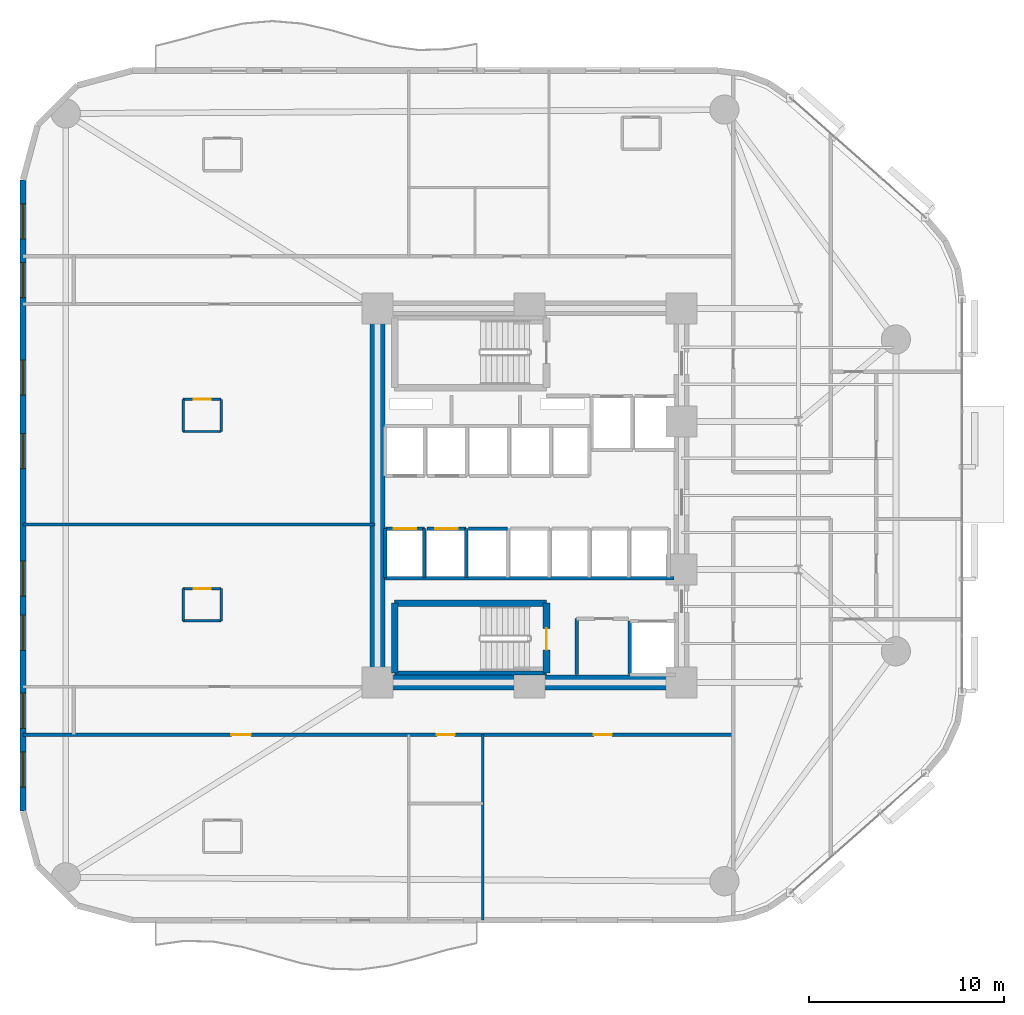
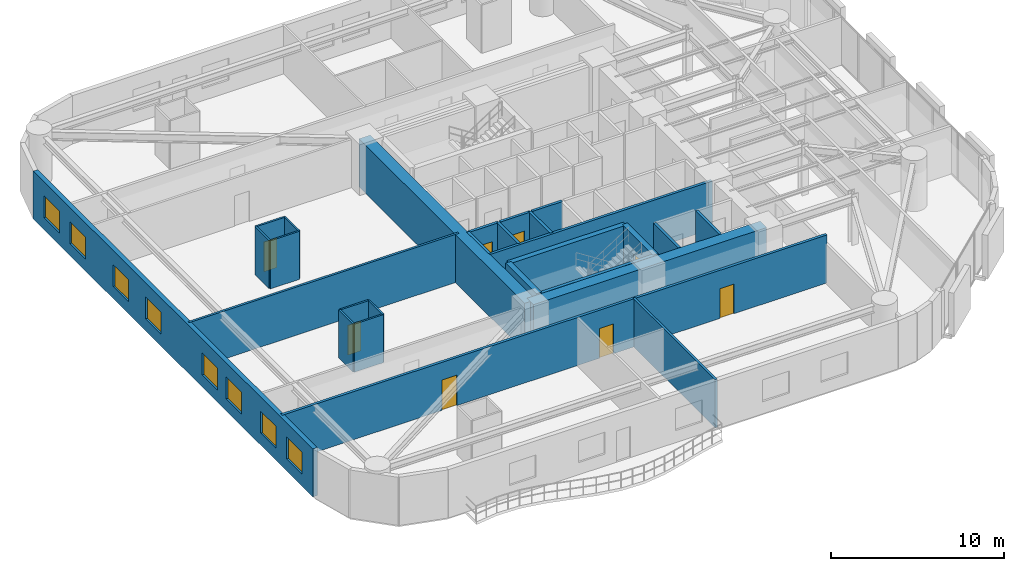
# One storey, part 10 of 16: 27 walls, 8 doors, 8 windows, 16 openings.
"""IFC4 building model written with IfcOpenShell, lengths in metres."""

from ifc_helpers import new_model, si_unit, direction, frame, frame_2d, origin, place, context, subcontext, project, spatial, rectangle, extrude, material, layer, layer_set, type_object, element, fill, save


model = new_model("IFC4")

# Units and contexts
model_context = context("Model", 3, precision=1e-05, world=origin(), true_north=direction((0.0, 1.0)))
body_context = subcontext(model_context, "Body", "Model", "MODEL_VIEW")
ifc_project = project(units=[si_unit("LENGTHUNIT", "METRE"), si_unit("AREAUNIT", "SQUARE_METRE"), si_unit("VOLUMEUNIT", "CUBIC_METRE"), si_unit("PLANEANGLEUNIT", "RADIAN"), si_unit("MASSUNIT", "GRAM", prefix="KILO")], contexts=[model_context])

# Site, building, storey
site_placement = place(None, origin())
site = spatial("IfcSite", under=ifc_project, at=site_placement, CompositionType="ELEMENT")
building_placement = place(site_placement, origin())
building = spatial("IfcBuilding", under=site, at=building_placement, Name="An Khanh Terracotta Commons", CompositionType="ELEMENT")
storey_placement = place(building_placement, frame((0.0, 0.0, 50.39990234375)))
storey = spatial("IfcBuildingStorey", under=building, at=storey_placement, Name="L13", CompositionType="ELEMENT", Elevation=50.39990234375)

# Walls
ifc_material_1 = material(Name="Concrete C70/85", Category="concrete")
ifc_layer_1 = layer(ifc_material_1, 0.75, Name="Concrete C70/85")
ifc_layer_set_1 = layer_set([ifc_layer_1], Name="Concrete C70/85")
wall_type_1 = type_object("IfcWallType", Name="WALL-CORE-750", PredefinedType="SHEAR", material=ifc_layer_set_1)
wall_1_placement = place(storey_placement, frame((21.60009765625, 14.39990234375, 0.0), z_axis=(0.0, 0.0, 1.0), x_axis=(0.0, 1.0, 0.0)))
element("IfcWall", 1, at=wall_1_placement, inside=storey, type_object=wall_type_1, Name="L13 Core Wall CWALL-L13-W", PredefinedType="SHEAR", context=body_context, shape_type="SweptSolid", body=[
    extrude(rectangle(XDim=19.2001953125, YDim=0.75, at=frame_2d((9.60009765625, 0.0))), origin(), (0.0, 0.0, 1.0), 3.400146484375),
])
wall_2_placement = place(storey_placement, frame((37.199951171875, 14.39990234375, 0.0), z_axis=(0.0, 0.0, 1.0), x_axis=(-1.0, 0.0, 0.0)))
element("IfcWall", 2, at=wall_2_placement, inside=storey, type_object=wall_type_1, Name="L13 Core Wall CWALL-L13-S", PredefinedType="SHEAR", context=body_context, shape_type="SweptSolid", body=[
    extrude(rectangle(XDim=15.599853515625, YDim=0.75, at=frame_2d((7.7998046875, 0.0))), origin(), (0.0, 0.0, 1.0), 3.400146484375),
])
ifc_material_2 = material(Name="Fire-Rated Gypsum Board on Steel Stud", Category="steel")
ifc_layer_2 = layer(ifc_material_2, 0.179931640625, Name="Fire-Rated Gypsum Board on Steel Stud")
ifc_layer_set_2 = layer_set([ifc_layer_2], Name="Fire-Rated Gypsum Board on Steel Stud")
wall_type_2 = type_object("IfcWallType", Name="WALL-CORR-180", PredefinedType="PARTITIONING", material=ifc_layer_set_2)
wall_3_placement = place(storey_placement, frame((21.949951171875, 19.760009765625, 0.0), z_axis=(0.0, 0.0, 1.0), x_axis=(1.0, 0.0, 0.0)))
element("IfcWall", 3, at=wall_3_placement, inside=storey, type_object=wall_type_2, Name="L13 Core Wall SVW-L13-N", PredefinedType="PARTITIONING", context=body_context, shape_type="SweptSolid", body=[
    extrude(rectangle(XDim=14.8701171875, YDim=0.179931640625, at=frame_2d((7.43505859375, 0.0))), origin(), (0.0, 0.0, 1.0), 3.400146484375),
])
wall_4_placement = place(storey_placement, frame((31.820068359375, 14.800048828125, 0.0), z_axis=(0.0, 0.0, 1.0), x_axis=(0.0, 1.0, 0.0)))
element("IfcWall", 4, at=wall_4_placement, inside=storey, type_object=wall_type_2, Name="L13 Core Wall SSVCW-L13-W", PredefinedType="PARTITIONING", context=body_context, shape_type="SweptSolid", body=[
    extrude(rectangle(XDim=2.8798828125, YDim=0.179931640625, at=frame_2d((1.43994140625, 0.0))), origin(), (0.0, 0.0, 1.0), 3.400146484375),
])
wall_5_placement = place(storey_placement, frame((34.550048828125, 17.550048828125, 0.0), z_axis=(0.0, 0.0, 1.0), x_axis=(0.0, -1.0, 0.0)))
element("IfcWall", 5, at=wall_5_placement, inside=storey, type_object=wall_type_2, Name="L13 Core Wall LSH-L13-SVL-01-W", PredefinedType="PARTITIONING", context=body_context, shape_type="SweptSolid", body=[
    extrude(rectangle(XDim=2.75, YDim=0.179931640625, at=frame_2d((1.375, 0.0))), origin(), (0.0, 0.0, 1.0), 3.400146484375),
])

# Wall, opening, door
wall_6_placement = place(storey_placement, frame((22.0, 22.300048828125, 0.0), z_axis=(0.0, 0.0, 1.0), x_axis=(1.0, 0.0, 0.0)))
wall_6 = element("IfcWall", 6, at=wall_6_placement, inside=storey, type_object=wall_type_2, Name="L13 Core Wall LSH-L13-PL-L3-N", PredefinedType="PARTITIONING", context=body_context, shape_type="SweptSolid", body=[
    extrude(rectangle(XDim=2.0, YDim=0.179931640625, at=frame_2d((1.0, 0.0))), origin(), (0.0, 0.0, 1.0), 3.400146484375),
])
opening_1_placement = place(wall_6_placement, frame((0.425048828125, 0.0, 0.0)))
opening_1 = element("IfcOpeningElement", 7, at=opening_1_placement, cuts=wall_6, Name="Opening LD-PL-L3-L13", PredefinedType="OPENING", context=body_context, shape_type="SweptSolid", body=[
    extrude(rectangle(XDim=1.14990234375, YDim=2.199951171875, at=frame_2d((0.574951171875, 1.10009765625))), frame((0.0, 0.099853515625, 0.0), z_axis=(0.0, -1.0, 0.0), x_axis=(1.0, 0.0, 0.0)), (0.0, 0.0, 1.0), 0.199951171875),
])
ifc_material_3 = material(Name="Brushed Stainless Steel Passenger Landing Door", Category="steel")
door_type_1 = type_object("IfcDoorType", Name="DOOR-LD-PAX-1150", OperationType="NOTDEFINED", PredefinedType="DOOR", material=ifc_material_3)
door_1_placement = place(opening_1_placement, origin())
door_1 = element("IfcDoor", 8, at=door_1_placement, inside=storey, type_object=door_type_1, Name="L13 Lift PL-L3 Sliding Landing Door", OperationType="DOUBLE_DOOR_SLIDING", OverallHeight=2.199951171875, OverallWidth=1.14990234375, PredefinedType="DOOR", context=body_context, shape_type="SweptSolid", body=[
    extrude(rectangle(XDim=1.14990234375, YDim=2.199951171875, at=frame_2d((0.574951171875, 1.10009765625))), frame((0.0, 0.02490234375, 0.0), z_axis=(0.0, -1.0, 0.0), x_axis=(1.0, 0.0, 0.0)), (0.0, 0.0, 1.0), 0.050048828125),
])
fill(opening_1, door_1)

# Walls
for number, where, z_axis, x_axis, name in (
    (9, (24.0, 19.800048828125, 0.0), (0.0, 0.0, 1.0), (0.0, 1.0, 0.0), "L13 Core Wall LSH-L13-PL-L3-E"),
    (10, (22.0, 22.300048828125, 0.0), (0.0, 0.0, 1.0), (0.0, -1.0, 0.0), "L13 Core Wall LSH-L13-PL-L3-W"),
):
    element("IfcWall", number, at=place(storey_placement, frame(where, z_axis=z_axis, x_axis=x_axis)), inside=storey, type_object=wall_type_2, Name=name, PredefinedType="PARTITIONING", context=body_context, shape_type="SweptSolid", body=[
        extrude(rectangle(XDim=2.5, YDim=0.179931640625, at=frame_2d((1.25, 0.0))), origin(), (0.0, 0.0, 1.0), 3.400146484375),
    ])

# Wall, opening, door
wall_7_placement = place(storey_placement, frame((24.139892578125, 22.300048828125, 0.0), z_axis=(0.0, 0.0, 1.0), x_axis=(1.0, 0.0, 0.0)))
wall_7 = element("IfcWall", 11, at=wall_7_placement, inside=storey, type_object=wall_type_2, Name="L13 Core Wall LSH-L13-PL-L4-N", PredefinedType="PARTITIONING", context=body_context, shape_type="SweptSolid", body=[
    extrude(rectangle(XDim=2.0, YDim=0.179931640625, at=frame_2d((1.0, 0.0))), origin(), (0.0, 0.0, 1.0), 3.400146484375),
])
opening_2_placement = place(wall_7_placement, frame((0.425048828125, 0.0, 0.0)))
opening_2 = element("IfcOpeningElement", 12, at=opening_2_placement, cuts=wall_7, Name="Opening LD-PL-L4-L13", PredefinedType="OPENING", context=body_context, shape_type="SweptSolid", body=[
    extrude(rectangle(XDim=1.14990234375, YDim=2.199951171875, at=frame_2d((0.574951171875, 1.10009765625))), frame((0.0, 0.099853515625, 0.0), z_axis=(0.0, -1.0, 0.0), x_axis=(1.0, 0.0, 0.0)), (0.0, 0.0, 1.0), 0.199951171875),
])
door_2_placement = place(opening_2_placement, origin())
door_2 = element("IfcDoor", 13, at=door_2_placement, inside=storey, type_object=door_type_1, Name="L13 Lift PL-L4 Sliding Landing Door", OperationType="DOUBLE_DOOR_SLIDING", OverallHeight=2.199951171875, OverallWidth=1.14990234375, PredefinedType="DOOR", context=body_context, shape_type="SweptSolid", body=[
    extrude(rectangle(XDim=1.14990234375, YDim=2.199951171875, at=frame_2d((0.574951171875, 1.10009765625))), frame((0.0, 0.02490234375, 0.0), z_axis=(0.0, -1.0, 0.0), x_axis=(1.0, 0.0, 0.0)), (0.0, 0.0, 1.0), 0.050048828125),
])
fill(opening_2, door_2)

# Walls
wall_8_placement = place(storey_placement, frame((26.139892578125, 19.800048828125, 0.0), z_axis=(0.0, 0.0, 1.0), x_axis=(0.0, 1.0, 0.0)))
element("IfcWall", 14, at=wall_8_placement, inside=storey, type_object=wall_type_2, Name="L13 Core Wall LSH-L13-PL-L4-E", PredefinedType="PARTITIONING", context=body_context, shape_type="SweptSolid", body=[
    extrude(rectangle(XDim=2.5, YDim=0.179931640625, at=frame_2d((1.25, 0.0))), origin(), (0.0, 0.0, 1.0), 3.400146484375),
])
wall_9_placement = place(storey_placement, frame((26.280029296875, 22.300048828125, 0.0), z_axis=(0.0, 0.0, 1.0), x_axis=(1.0, 0.0, 0.0)))
element("IfcWall", 15, at=wall_9_placement, inside=storey, type_object=wall_type_2, Name="L13 Core Wall LSH-L13-PL-M3-N", PredefinedType="PARTITIONING", context=body_context, shape_type="SweptSolid", body=[
    extrude(rectangle(XDim=2.0, YDim=0.179931640625, at=frame_2d((1.0, 0.0))), origin(), (0.0, 0.0, 1.0), 3.400146484375),
])

# Wall, openings, doors
wall_10_placement = place(storey_placement, frame((3.39990234375, 11.719970703125, 0.0), z_axis=(0.0, 0.0, 1.0), x_axis=(1.0, 0.0, 0.0)))
wall_10 = element("IfcWall", 16, at=wall_10_placement, inside=storey, type_object=wall_type_2, Name="L13 Interior Partition IW-L13-E002", PredefinedType="PARTITIONING", context=body_context, shape_type="SweptSolid", body=[
    extrude(rectangle(XDim=36.4501953125, YDim=0.179931640625, at=frame_2d((18.22509765625, 0.0))), origin(), (0.0, 0.0, 1.0), 3.400146484375),
])
opening_3_placement = place(wall_10_placement, frame((21.239990234375, 0.0, 0.0)))
opening_3 = element("IfcOpeningElement", 17, at=opening_3_placement, cuts=wall_10, Name="Opening D-RM", PredefinedType="OPENING", context=body_context, shape_type="SweptSolid", body=[
    extrude(rectangle(XDim=0.919921875, YDim=2.10009765625, at=frame_2d((0.4599609375, 1.050048828125))), frame((0.0, 0.099853515625, 0.0), z_axis=(0.0, -1.0, 0.0), x_axis=(1.0, 0.0, 0.0)), (0.0, 0.0, 1.0), 0.199951171875),
])
opening_4_placement = place(wall_10_placement, frame((10.699951171875, 0.0, 0.0)))
opening_4 = element("IfcOpeningElement", 18, at=opening_4_placement, cuts=wall_10, Name="Opening D-UN", PredefinedType="OPENING", context=body_context, shape_type="SweptSolid", body=[
    extrude(rectangle(XDim=1.0, YDim=2.14990234375, at=frame_2d((0.5, 1.074951171875))), frame((0.0, 0.099853515625, 0.0), z_axis=(0.0, -1.0, 0.0), x_axis=(1.0, 0.0, 0.0)), (0.0, 0.0, 1.0), 0.199951171875),
])
opening_5_placement = place(wall_10_placement, frame((29.304931640625, 0.0, 0.0)))
opening_5 = element("IfcOpeningElement", 19, at=opening_5_placement, cuts=wall_10, Name="Opening D-RM", PredefinedType="OPENING", context=body_context, shape_type="SweptSolid", body=[
    extrude(rectangle(XDim=0.919921875, YDim=2.10009765625, at=frame_2d((0.4599609375, 1.050048828125))), frame((0.0, 0.099853515625, 0.0), z_axis=(0.0, -1.0, 0.0), x_axis=(1.0, 0.0, 0.0)), (0.0, 0.0, 1.0), 0.199951171875),
])
ifc_material_4 = material(Name="Engineered Hardwood Timber Leaf", Category="wood")
door_type_2 = type_object("IfcDoorType", Name="DOOR-INT-920", OperationType="NOTDEFINED", PredefinedType="DOOR", material=ifc_material_4)
door_3_placement = place(opening_3_placement, origin())
door_3 = element("IfcDoor", 20, at=door_3_placement, inside=storey, type_object=door_type_2, Name="L13 HKP Housekeeping Linen Store Door", OperationType="SINGLE_SWING_LEFT", OverallHeight=2.10009765625, OverallWidth=0.919921875, PredefinedType="DOOR", context=body_context, shape_type="SweptSolid", body=[
    extrude(rectangle(XDim=0.919921875, YDim=2.10009765625, at=frame_2d((0.4599609375, 1.050048828125))), frame((0.0, 0.02490234375, 0.0), z_axis=(0.0, -1.0, 0.0), x_axis=(1.0, 0.0, 0.0)), (0.0, 0.0, 1.0), 0.050048828125),
])
fill(opening_3, door_3)
door_4_placement = place(opening_5_placement, origin())
door_4 = element("IfcDoor", 21, at=door_4_placement, inside=storey, type_object=door_type_2, Name="L13 SWE Communal Kitchen and Dining Door", OperationType="SINGLE_SWING_LEFT", OverallHeight=2.10009765625, OverallWidth=0.919921875, PredefinedType="DOOR", context=body_context, shape_type="SweptSolid", body=[
    extrude(rectangle(XDim=0.919921875, YDim=2.10009765625, at=frame_2d((0.4599609375, 1.050048828125))), frame((0.0, 0.02490234375, 0.0), z_axis=(0.0, -1.0, 0.0), x_axis=(1.0, 0.0, 0.0)), (0.0, 0.0, 1.0), 0.050048828125),
])
fill(opening_5, door_4)
ifc_material_5 = material(Name="Solid-Core Hardwood Acoustic Fire Door", Category="wood")
door_type_3 = type_object("IfcDoorType", Name="DOOR-UNIT-1000", OperationType="NOTDEFINED", PredefinedType="DOOR", material=ifc_material_5)
door_5_placement = place(opening_4_placement, origin())
door_5 = element("IfcDoor", 22, at=door_5_placement, inside=storey, type_object=door_type_3, Name="L13 SW1 Kitchenette and Studio Apartment Door", OperationType="SINGLE_SWING_RIGHT", OverallHeight=2.14990234375, OverallWidth=1.0, PredefinedType="DOOR", context=body_context, shape_type="SweptSolid", body=[
    extrude(rectangle(XDim=1.0, YDim=2.14990234375, at=frame_2d((0.5, 1.074951171875))), frame((0.0, 0.02490234375, 0.0), z_axis=(0.0, -1.0, 0.0), x_axis=(1.0, 0.0, 0.0)), (0.0, 0.0, 1.0), 0.050048828125),
])
fill(opening_4, door_5)

# Wall, openings, windows
ifc_material_6 = material(Name="Precast concrete C40/50", Category="concrete")
ifc_layer_3 = layer(ifc_material_6, 0.300048828125, Name="Precast concrete C40/50")
ifc_layer_set_3 = layer_set([ifc_layer_3], Name="Precast concrete C40/50")
wall_type_3 = type_object("IfcWallType", Name="WALL-EXT-300", PredefinedType="SOLIDWALL", material=ifc_layer_set_3)
wall_11_placement = place(storey_placement, frame((3.39990234375, 40.199951171875, 0.0), z_axis=(0.0, 0.0, 1.0), x_axis=(0.0, -1.0, 0.0)))
wall_11 = element("IfcWall", 23, at=wall_11_placement, inside=storey, type_object=wall_type_3, Name="L13 Insulated Terracotta Exterior Wall 24", PredefinedType="SOLIDWALL", context=body_context, shape_type="SweptSolid", body=[
    extrude(rectangle(XDim=32.39990234375, YDim=0.300048828125, at=frame_2d((16.199951171875, 0.0))), origin(), (0.0, 0.0, 1.0), 3.400146484375),
])
opening_6_placement = place(wall_11_placement, frame((1.235107421875, 0.0, 0.85009765625)))
opening_6 = element("IfcOpeningElement", 24, at=opening_6_placement, cuts=wall_11, Name="Opening W-01", PredefinedType="OPENING", context=body_context, shape_type="SweptSolid", body=[
    extrude(rectangle(XDim=1.800048828125, YDim=1.550048828125, at=frame_2d((0.89990234375, 0.77490234375))), frame((0.0, 0.159912109375, 0.0), z_axis=(0.0, -1.0, 0.0), x_axis=(1.0, 0.0, 0.0)), (0.0, 0.0, 1.0), 0.320068359375),
])
opening_7_placement = place(wall_11_placement, frame((4.25, 0.0, 0.85009765625)))
opening_7 = element("IfcOpeningElement", 25, at=opening_7_placement, cuts=wall_11, Name="Opening W-01", PredefinedType="OPENING", context=body_context, shape_type="SweptSolid", body=[
    extrude(rectangle(XDim=1.800048828125, YDim=1.550048828125, at=frame_2d((0.89990234375, 0.77490234375))), frame((0.0, 0.159912109375, 0.0), z_axis=(0.0, -1.0, 0.0), x_axis=(1.0, 0.0, 0.0)), (0.0, 0.0, 1.0), 0.320068359375),
])
opening_8_placement = place(wall_11_placement, frame((9.2529296875, 0.0, 0.85009765625)))
opening_8 = element("IfcOpeningElement", 26, at=opening_8_placement, cuts=wall_11, Name="Opening W-01", PredefinedType="OPENING", context=body_context, shape_type="SweptSolid", body=[
    extrude(rectangle(XDim=1.800048828125, YDim=1.550048828125, at=frame_2d((0.89990234375, 0.77490234375))), frame((0.0, 0.159912109375, 0.0), z_axis=(0.0, -1.0, 0.0), x_axis=(1.0, 0.0, 0.0)), (0.0, 0.0, 1.0), 0.320068359375),
])
opening_9_placement = place(wall_11_placement, frame((13.027099609375, 0.0, 0.85009765625)))
opening_9 = element("IfcOpeningElement", 27, at=opening_9_placement, cuts=wall_11, Name="Opening W-01", PredefinedType="OPENING", context=body_context, shape_type="SweptSolid", body=[
    extrude(rectangle(XDim=1.800048828125, YDim=1.550048828125, at=frame_2d((0.89990234375, 0.77490234375))), frame((0.0, 0.159912109375, 0.0), z_axis=(0.0, -1.0, 0.0), x_axis=(1.0, 0.0, 0.0)), (0.0, 0.0, 1.0), 0.320068359375),
])
opening_10_placement = place(wall_11_placement, frame((19.572998046875, 0.0, 0.85009765625)))
opening_10 = element("IfcOpeningElement", 28, at=opening_10_placement, cuts=wall_11, Name="Opening W-01", PredefinedType="OPENING", context=body_context, shape_type="SweptSolid", body=[
    extrude(rectangle(XDim=1.800048828125, YDim=1.550048828125, at=frame_2d((0.89990234375, 0.77490234375))), frame((0.0, 0.159912109375, 0.0), z_axis=(0.0, -1.0, 0.0), x_axis=(1.0, 0.0, 0.0)), (0.0, 0.0, 1.0), 0.320068359375),
])
opening_11_placement = place(wall_11_placement, frame((22.346923828125, 0.0, 0.85009765625)))
opening_11 = element("IfcOpeningElement", 29, at=opening_11_placement, cuts=wall_11, Name="Opening W-01", PredefinedType="OPENING", context=body_context, shape_type="SweptSolid", body=[
    extrude(rectangle(XDim=1.800048828125, YDim=1.550048828125, at=frame_2d((0.89990234375, 0.77490234375))), frame((0.0, 0.159912109375, 0.0), z_axis=(0.0, -1.0, 0.0), x_axis=(1.0, 0.0, 0.0)), (0.0, 0.0, 1.0), 0.320068359375),
])
opening_12_placement = place(wall_11_placement, frame((26.35009765625, 0.0, 0.85009765625)))
opening_12 = element("IfcOpeningElement", 30, at=opening_12_placement, cuts=wall_11, Name="Opening W-01", PredefinedType="OPENING", context=body_context, shape_type="SweptSolid", body=[
    extrude(rectangle(XDim=1.800048828125, YDim=1.550048828125, at=frame_2d((0.89990234375, 0.77490234375))), frame((0.0, 0.159912109375, 0.0), z_axis=(0.0, -1.0, 0.0), x_axis=(1.0, 0.0, 0.0)), (0.0, 0.0, 1.0), 0.320068359375),
])
opening_13_placement = place(wall_11_placement, frame((29.364990234375, 0.0, 0.85009765625)))
opening_13 = element("IfcOpeningElement", 31, at=opening_13_placement, cuts=wall_11, Name="Opening W-01", PredefinedType="OPENING", context=body_context, shape_type="SweptSolid", body=[
    extrude(rectangle(XDim=1.800048828125, YDim=1.550048828125, at=frame_2d((0.89990234375, 0.77490234375))), frame((0.0, 0.159912109375, 0.0), z_axis=(0.0, -1.0, 0.0), x_axis=(1.0, 0.0, 0.0)), (0.0, 0.0, 1.0), 0.320068359375),
])
ifc_material_7 = material(Name="Thermally Broken Aluminium and Low-E Glass", Category="aluminium")
window_type = type_object("IfcWindowType", Name="WIN-Z1-1800x1550", PartitioningType="DOUBLE_PANEL_VERTICAL", PredefinedType="WINDOW", material=ifc_material_7)
window_1_placement = place(opening_6_placement, origin())
window_1 = element("IfcWindow", 32, at=window_1_placement, inside=storey, type_object=window_type, Name="L13 Operable Casement Window 24.1", OverallHeight=1.550048828125, OverallWidth=1.800048828125, PartitioningType="DOUBLE_PANEL_VERTICAL", PredefinedType="WINDOW", context=body_context, shape_type="SweptSolid", body=[
    extrude(rectangle(XDim=1.800048828125, YDim=1.550048828125, at=frame_2d((0.89990234375, 0.77490234375))), frame((0.0, 0.030029296875, 0.0), z_axis=(0.0, -1.0, 0.0), x_axis=(1.0, 0.0, 0.0)), (0.0, 0.0, 1.0), 0.06005859375),
])
fill(opening_6, window_1)
window_2_placement = place(opening_7_placement, origin())
window_2 = element("IfcWindow", 33, at=window_2_placement, inside=storey, type_object=window_type, Name="L13 Operable Casement Window 24.2", OverallHeight=1.550048828125, OverallWidth=1.800048828125, PartitioningType="DOUBLE_PANEL_VERTICAL", PredefinedType="WINDOW", context=body_context, shape_type="SweptSolid", body=[
    extrude(rectangle(XDim=1.800048828125, YDim=1.550048828125, at=frame_2d((0.89990234375, 0.77490234375))), frame((0.0, 0.030029296875, 0.0), z_axis=(0.0, -1.0, 0.0), x_axis=(1.0, 0.0, 0.0)), (0.0, 0.0, 1.0), 0.06005859375),
])
fill(opening_7, window_2)
window_3_placement = place(opening_8_placement, origin())
window_3 = element("IfcWindow", 34, at=window_3_placement, inside=storey, type_object=window_type, Name="L13 Operable Casement Window 24.3", OverallHeight=1.550048828125, OverallWidth=1.800048828125, PartitioningType="DOUBLE_PANEL_VERTICAL", PredefinedType="WINDOW", context=body_context, shape_type="SweptSolid", body=[
    extrude(rectangle(XDim=1.800048828125, YDim=1.550048828125, at=frame_2d((0.89990234375, 0.77490234375))), frame((0.0, 0.030029296875, 0.0), z_axis=(0.0, -1.0, 0.0), x_axis=(1.0, 0.0, 0.0)), (0.0, 0.0, 1.0), 0.06005859375),
])
fill(opening_8, window_3)
window_4_placement = place(opening_9_placement, origin())
window_4 = element("IfcWindow", 35, at=window_4_placement, inside=storey, type_object=window_type, Name="L13 Operable Casement Window 24.4", OverallHeight=1.550048828125, OverallWidth=1.800048828125, PartitioningType="DOUBLE_PANEL_VERTICAL", PredefinedType="WINDOW", context=body_context, shape_type="SweptSolid", body=[
    extrude(rectangle(XDim=1.800048828125, YDim=1.550048828125, at=frame_2d((0.89990234375, 0.77490234375))), frame((0.0, 0.030029296875, 0.0), z_axis=(0.0, -1.0, 0.0), x_axis=(1.0, 0.0, 0.0)), (0.0, 0.0, 1.0), 0.06005859375),
])
fill(opening_9, window_4)
window_5_placement = place(opening_10_placement, origin())
window_5 = element("IfcWindow", 36, at=window_5_placement, inside=storey, type_object=window_type, Name="L13 Operable Casement Window 24.5", OverallHeight=1.550048828125, OverallWidth=1.800048828125, PartitioningType="DOUBLE_PANEL_VERTICAL", PredefinedType="WINDOW", context=body_context, shape_type="SweptSolid", body=[
    extrude(rectangle(XDim=1.800048828125, YDim=1.550048828125, at=frame_2d((0.89990234375, 0.77490234375))), frame((0.0, 0.030029296875, 0.0), z_axis=(0.0, -1.0, 0.0), x_axis=(1.0, 0.0, 0.0)), (0.0, 0.0, 1.0), 0.06005859375),
])
fill(opening_10, window_5)
window_6_placement = place(opening_11_placement, origin())
window_6 = element("IfcWindow", 37, at=window_6_placement, inside=storey, type_object=window_type, Name="L13 Operable Casement Window 24.6", OverallHeight=1.550048828125, OverallWidth=1.800048828125, PartitioningType="DOUBLE_PANEL_VERTICAL", PredefinedType="WINDOW", context=body_context, shape_type="SweptSolid", body=[
    extrude(rectangle(XDim=1.800048828125, YDim=1.550048828125, at=frame_2d((0.89990234375, 0.77490234375))), frame((0.0, 0.030029296875, 0.0), z_axis=(0.0, -1.0, 0.0), x_axis=(1.0, 0.0, 0.0)), (0.0, 0.0, 1.0), 0.06005859375),
])
fill(opening_11, window_6)
window_7_placement = place(opening_12_placement, origin())
window_7 = element("IfcWindow", 38, at=window_7_placement, inside=storey, type_object=window_type, Name="L13 Operable Casement Window 24.7", OverallHeight=1.550048828125, OverallWidth=1.800048828125, PartitioningType="DOUBLE_PANEL_VERTICAL", PredefinedType="WINDOW", context=body_context, shape_type="SweptSolid", body=[
    extrude(rectangle(XDim=1.800048828125, YDim=1.550048828125, at=frame_2d((0.89990234375, 0.77490234375))), frame((0.0, 0.030029296875, 0.0), z_axis=(0.0, -1.0, 0.0), x_axis=(1.0, 0.0, 0.0)), (0.0, 0.0, 1.0), 0.06005859375),
])
fill(opening_12, window_7)
window_8_placement = place(opening_13_placement, origin())
window_8 = element("IfcWindow", 39, at=window_8_placement, inside=storey, type_object=window_type, Name="L13 Operable Casement Window 24.8", OverallHeight=1.550048828125, OverallWidth=1.800048828125, PartitioningType="DOUBLE_PANEL_VERTICAL", PredefinedType="WINDOW", context=body_context, shape_type="SweptSolid", body=[
    extrude(rectangle(XDim=1.800048828125, YDim=1.550048828125, at=frame_2d((0.89990234375, 0.77490234375))), frame((0.0, 0.030029296875, 0.0), z_axis=(0.0, -1.0, 0.0), x_axis=(1.0, 0.0, 0.0)), (0.0, 0.0, 1.0), 0.06005859375),
])
fill(opening_13, window_8)

# Walls
ifc_material_8 = material(Name="Acoustic Gypsum Board Partition")
ifc_layer_4 = layer(ifc_material_8, 0.14990234375, Name="Acoustic Gypsum Board Partition")
ifc_layer_set_4 = layer_set([ifc_layer_4], Name="Acoustic Gypsum Board Partition")
wall_type_4 = type_object("IfcWallType", Name="WALL-PART-150", PredefinedType="PARTITIONING", material=ifc_layer_set_4)
wall_12_placement = place(storey_placement, frame((3.39990234375, 22.5, 0.0), z_axis=(0.0, 0.0, 1.0), x_axis=(1.0, 0.0, 0.0)))
element("IfcWall", 40, at=wall_12_placement, inside=storey, type_object=wall_type_4, Name="L13 Interior Partition IW-L13-E005", PredefinedType="PARTITIONING", context=body_context, shape_type="SweptSolid", body=[
    extrude(rectangle(XDim=18.080078125, YDim=0.14990234375, at=frame_2d((9.0400390625, 0.0))), origin(), (0.0, 0.0, 1.0), 3.400146484375),
])
wall_13_placement = place(storey_placement, frame((27.0, 2.199951171875, 0.0), z_axis=(0.0, 0.0, 1.0), x_axis=(0.0, 1.0, 0.0)))
element("IfcWall", 41, at=wall_13_placement, inside=storey, type_object=wall_type_4, Name="L13 Interior Partition IW-L13-E018", PredefinedType="PARTITIONING", context=body_context, shape_type="SweptSolid", body=[
    extrude(rectangle(XDim=9.52001953125, YDim=0.14990234375, at=frame_2d((4.760009765625, 0.0))), origin(), (0.0, 0.0, 1.0), 3.400146484375),
])
ifc_material_9 = material(Name="Acoustic Double-Stud Gypsum and Mineral Wool")
ifc_layer_5 = layer(ifc_material_9, 0.219970703125, Name="Acoustic Double-Stud Gypsum and Mineral Wool")
ifc_layer_set_5 = layer_set([ifc_layer_5], Name="Acoustic Double-Stud Gypsum and Mineral Wool")
wall_type_5 = type_object("IfcWallType", Name="WALL-PARTY-220", PredefinedType="PARTITIONING", material=ifc_layer_set_5)
wall_14_placement = place(storey_placement, frame((22.47998046875, 14.889892578125, 0.0), z_axis=(0.0, 0.0, 1.0), x_axis=(1.0, 0.0, 0.0)))
element("IfcWall", 42, at=wall_14_placement, inside=storey, type_object=wall_type_5, Name="L13 Core Wall STW-L13-S-S", PredefinedType="PARTITIONING", context=body_context, shape_type="SweptSolid", body=[
    extrude(rectangle(XDim=7.7900390625, YDim=0.219970703125, at=frame_2d((3.89501953125, 0.0))), origin(), (0.0, 0.0, 1.0), 3.400146484375),
])
ifc_material_10 = material(Name="Concrete C50/60", Category="concrete")
ifc_layer_6 = layer(ifc_material_10, 0.35009765625, Name="Concrete C50/60")
ifc_layer_set_6 = layer_set([ifc_layer_6], Name="Concrete C50/60")
wall_type_6 = type_object("IfcWallType", Name="WALL-SHAFT-350", PredefinedType="SOLIDWALL", material=ifc_layer_set_6)
wall_15_placement = place(storey_placement, frame((22.47998046875, 18.469970703125, 0.0), z_axis=(0.0, 0.0, 1.0), x_axis=(1.0, 0.0, 0.0)))
element("IfcWall", 43, at=wall_15_placement, inside=storey, type_object=wall_type_6, Name="L13 Core Wall STW-L13-S-N", PredefinedType="SOLIDWALL", context=body_context, shape_type="SweptSolid", body=[
    extrude(rectangle(XDim=7.7900390625, YDim=0.35009765625, at=frame_2d((3.89501953125, 0.0))), origin(), (0.0, 0.0, 1.0), 3.400146484375),
])
wall_16_placement = place(storey_placement, frame((22.47998046875, 14.889892578125, 0.0), z_axis=(0.0, 0.0, 1.0), x_axis=(0.0, 1.0, 0.0)))
element("IfcWall", 44, at=wall_16_placement, inside=storey, type_object=wall_type_6, Name="L13 Core Wall STW-L13-S-W", PredefinedType="SOLIDWALL", context=body_context, shape_type="SweptSolid", body=[
    extrude(rectangle(XDim=3.580078125, YDim=0.35009765625, at=frame_2d((1.7900390625, 0.0))), origin(), (0.0, 0.0, 1.0), 3.400146484375),
])

# Wall, opening, door
wall_17_placement = place(storey_placement, frame((30.27001953125, 14.889892578125, 0.0), z_axis=(0.0, 0.0, 1.0), x_axis=(0.0, 1.0, 0.0)))
wall_17 = element("IfcWall", 45, at=wall_17_placement, inside=storey, type_object=wall_type_6, Name="L13 Core Wall STW-L13-S-E", PredefinedType="SOLIDWALL", context=body_context, shape_type="SweptSolid", body=[
    extrude(rectangle(XDim=3.580078125, YDim=0.35009765625, at=frame_2d((1.7900390625, 0.0))), origin(), (0.0, 0.0, 1.0), 3.400146484375),
])
opening_14_placement = place(wall_17_placement, frame((1.18994140625, 0.0, 0.0)))
opening_14 = element("IfcOpeningElement", 46, at=opening_14_placement, cuts=wall_17, Name="Opening D-ST", PredefinedType="OPENING", context=body_context, shape_type="SweptSolid", body=[
    extrude(rectangle(XDim=1.10009765625, YDim=2.14990234375, at=frame_2d((0.550048828125, 1.074951171875))), frame((0.0, 0.18505859375, 0.0), z_axis=(0.0, -1.0, 0.0), x_axis=(1.0, 0.0, 0.0)), (0.0, 0.0, 1.0), 0.3701171875),
])
ifc_material_11 = material(Name="Fire-Rated Steel Leaf and Frame", Category="steel")
door_type_4 = type_object("IfcDoorType", Name="DOOR-STAIR-1100", OperationType="NOTDEFINED", PredefinedType="DOOR", material=ifc_material_11)
door_6_placement = place(opening_14_placement, origin())
door_6 = element("IfcDoor", 47, at=door_6_placement, inside=storey, type_object=door_type_4, Name="L13 Stair ST-02 Fire Door", OperationType="SINGLE_SWING_RIGHT", OverallHeight=2.14990234375, OverallWidth=1.10009765625, PredefinedType="DOOR", context=body_context, shape_type="SweptSolid", body=[
    extrude(rectangle(XDim=1.10009765625, YDim=2.14990234375, at=frame_2d((0.550048828125, 1.074951171875))), frame((0.0, 0.02490234375, 0.0), z_axis=(0.0, -1.0, 0.0), x_axis=(1.0, 0.0, 0.0)), (0.0, 0.0, 1.0), 0.050048828125),
])
fill(opening_14, door_6)

ifc_material_12 = material(Name="Moisture-Resistant Cement Board Partition")
ifc_layer_7 = layer(ifc_material_12, 0.1201171875, Name="Moisture-Resistant Cement Board Partition")
ifc_layer_set_7 = layer_set([ifc_layer_7], Name="Moisture-Resistant Cement Board Partition")
wall_type_7 = type_object("IfcWallType", Name="WALL-WET-120", PredefinedType="PARTITIONING", material=ifc_layer_set_7)
wall_18_placement = place(storey_placement, frame((11.625, 19.215087890625, 0.0), z_axis=(0.0, 0.0, 1.0), x_axis=(1.0, 0.0, 0.0)))
wall_18 = element("IfcWall", 48, at=wall_18_placement, inside=storey, type_object=wall_type_7, Name="L13 Interior Partition IW-L13-WW1-BN", PredefinedType="PARTITIONING", context=body_context, shape_type="SweptSolid", body=[
    extrude(rectangle(XDim=1.949951171875, YDim=0.1201171875, at=frame_2d((0.97509765625, 0.0))), origin(), (0.0, 0.0, 1.0), 3.400146484375),
])
opening_15_placement = place(wall_18_placement, frame((0.544921875, 0.0, 0.0)))
opening_15 = element("IfcOpeningElement", 49, at=opening_15_placement, cuts=wall_18, Name="Opening D-ENS", PredefinedType="OPENING", context=body_context, shape_type="SweptSolid", body=[
    extrude(rectangle(XDim=0.860107421875, YDim=2.10009765625, at=frame_2d((0.43017578125, 1.050048828125))), frame((0.0, 0.070068359375, 0.0), z_axis=(0.0, -1.0, 0.0), x_axis=(1.0, 0.0, 0.0)), (0.0, 0.0, 1.0), 0.14013671875),
])
ifc_material_13 = material(Name="Moisture-Resistant Hardwood Timber Leaf", Category="wood")
door_type_5 = type_object("IfcDoorType", Name="DOOR-BATH-860", OperationType="NOTDEFINED", PredefinedType="DOOR", material=ifc_material_13)
door_7_placement = place(opening_15_placement, origin())
door_7 = element("IfcDoor", 50, at=door_7_placement, inside=storey, type_object=door_type_5, Name="L13 Studio WW1 En-suite Door", OperationType="SINGLE_SWING_LEFT", OverallHeight=2.10009765625, OverallWidth=0.860107421875, PredefinedType="DOOR", context=body_context, shape_type="SweptSolid", body=[
    extrude(rectangle(XDim=0.860107421875, YDim=2.10009765625, at=frame_2d((0.43017578125, 1.050048828125))), frame((0.0, 0.02490234375, 0.0), z_axis=(0.0, -1.0, 0.0), x_axis=(1.0, 0.0, 0.0)), (0.0, 0.0, 1.0), 0.050048828125),
])
fill(opening_15, door_7)

# Walls
wall_19_placement = place(storey_placement, frame((13.574951171875, 17.56494140625, 0.0), z_axis=(0.0, 0.0, 1.0), x_axis=(-1.0, 0.0, 0.0)))
element("IfcWall", 51, at=wall_19_placement, inside=storey, type_object=wall_type_7, Name="L13 Interior Partition IW-L13-WW1-BS", PredefinedType="PARTITIONING", context=body_context, shape_type="SweptSolid", body=[
    extrude(rectangle(XDim=1.949951171875, YDim=0.1201171875, at=frame_2d((0.97509765625, 0.0))), origin(), (0.0, 0.0, 1.0), 3.400146484375),
])
for number, where, z_axis, x_axis, name in (
    (52, (11.625, 19.215087890625, 0.0), (0.0, 0.0, 1.0), (0.0, -1.0, 0.0), "L13 Interior Partition IW-L13-WW1-BW"),
    (53, (13.574951171875, 17.56494140625, 0.0), (0.0, 0.0, 1.0), (0.0, 1.0, 0.0), "L13 Interior Partition IW-L13-WW1-BE"),
):
    element("IfcWall", number, at=place(storey_placement, frame(where, z_axis=z_axis, x_axis=x_axis)), inside=storey, type_object=wall_type_7, Name=name, PredefinedType="PARTITIONING", context=body_context, shape_type="SweptSolid", body=[
        extrude(rectangle(XDim=1.650146484375, YDim=0.1201171875, at=frame_2d((0.8251953125, 0.0))), origin(), (0.0, 0.0, 1.0), 3.400146484375),
    ])

# Wall, opening, door
wall_20_placement = place(storey_placement, frame((11.625, 28.93505859375, 0.0), z_axis=(0.0, 0.0, 1.0), x_axis=(1.0, 0.0, 0.0)))
wall_20 = element("IfcWall", 54, at=wall_20_placement, inside=storey, type_object=wall_type_7, Name="L13 Interior Partition IW-L13-WW2-BN", PredefinedType="PARTITIONING", context=body_context, shape_type="SweptSolid", body=[
    extrude(rectangle(XDim=1.949951171875, YDim=0.1201171875, at=frame_2d((0.97509765625, 0.0))), origin(), (0.0, 0.0, 1.0), 3.400146484375),
])
opening_16_placement = place(wall_20_placement, frame((0.544921875, 0.0, 0.0)))
opening_16 = element("IfcOpeningElement", 55, at=opening_16_placement, cuts=wall_20, Name="Opening D-ENS", PredefinedType="OPENING", context=body_context, shape_type="SweptSolid", body=[
    extrude(rectangle(XDim=0.860107421875, YDim=2.10009765625, at=frame_2d((0.43017578125, 1.050048828125))), frame((0.0, 0.070068359375, 0.0), z_axis=(0.0, -1.0, 0.0), x_axis=(1.0, 0.0, 0.0)), (0.0, 0.0, 1.0), 0.14013671875),
])
door_8_placement = place(opening_16_placement, origin())
door_8 = element("IfcDoor", 56, at=door_8_placement, inside=storey, type_object=door_type_5, Name="L13 Studio WW2 En-suite Door", OperationType="SINGLE_SWING_RIGHT", OverallHeight=2.10009765625, OverallWidth=0.860107421875, PredefinedType="DOOR", context=body_context, shape_type="SweptSolid", body=[
    extrude(rectangle(XDim=0.860107421875, YDim=2.10009765625, at=frame_2d((0.43017578125, 1.050048828125))), frame((0.0, 0.02490234375, 0.0), z_axis=(0.0, -1.0, 0.0), x_axis=(1.0, 0.0, 0.0)), (0.0, 0.0, 1.0), 0.050048828125),
])
fill(opening_16, door_8)

# Walls
wall_21_placement = place(storey_placement, frame((13.574951171875, 27.284912109375, 0.0), z_axis=(0.0, 0.0, 1.0), x_axis=(-1.0, 0.0, 0.0)))
element("IfcWall", 57, at=wall_21_placement, inside=storey, type_object=wall_type_7, Name="L13 Interior Partition IW-L13-WW2-BS", PredefinedType="PARTITIONING", context=body_context, shape_type="SweptSolid", body=[
    extrude(rectangle(XDim=1.949951171875, YDim=0.1201171875, at=frame_2d((0.97509765625, 0.0))), origin(), (0.0, 0.0, 1.0), 3.400146484375),
])
for number, where, z_axis, x_axis, name in (
    (58, (11.625, 28.93505859375, 0.0), (0.0, 0.0, 1.0), (0.0, -1.0, 0.0), "L13 Interior Partition IW-L13-WW2-BW"),
    (59, (13.574951171875, 27.284912109375, 0.0), (0.0, 0.0, 1.0), (0.0, 1.0, 0.0), "L13 Interior Partition IW-L13-WW2-BE"),
):
    element("IfcWall", number, at=place(storey_placement, frame(where, z_axis=z_axis, x_axis=x_axis)), inside=storey, type_object=wall_type_7, Name=name, PredefinedType="PARTITIONING", context=body_context, shape_type="SweptSolid", body=[
        extrude(rectangle(XDim=1.650146484375, YDim=0.1201171875, at=frame_2d((0.8251953125, 0.0))), origin(), (0.0, 0.0, 1.0), 3.400146484375),
    ])

save(model, "model.ifc")
